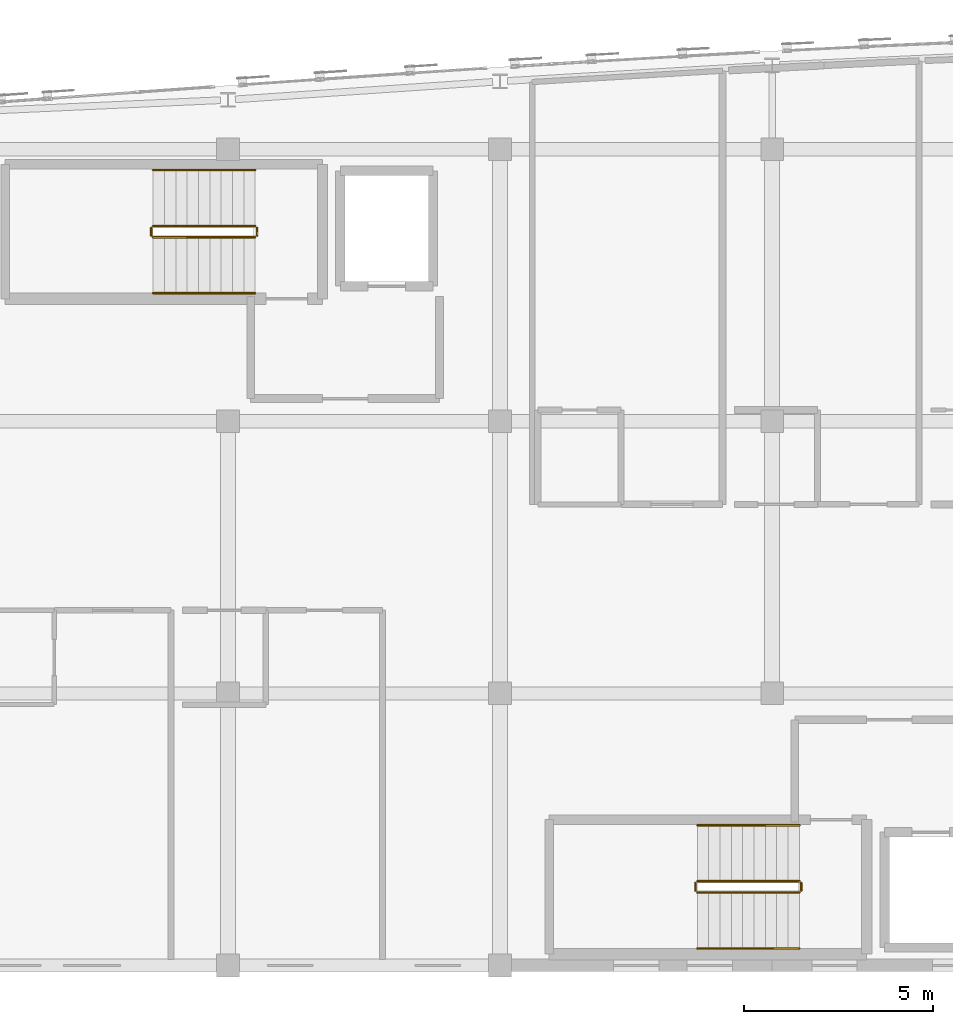
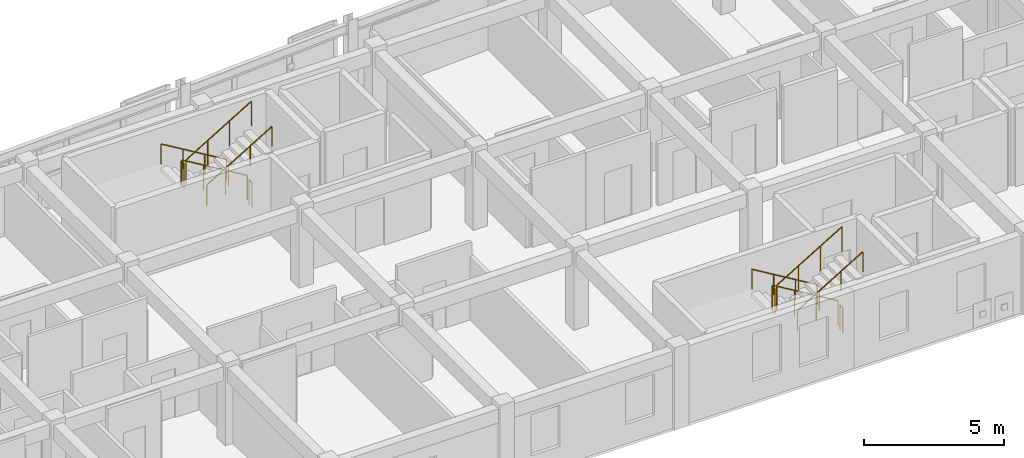
# One storey, part 40 of 41: 12 railings.
"""IFC4 building model written with IfcOpenShell, lengths in metres."""

from ifc_helpers import new_model, si_unit, direction, frame, origin, origin_2d, place, context, subcontext, project, spatial, circle, extrude, material, layer, layer_set, type_object, element, save


model = new_model("IFC4")

# Units and contexts
model_context = context("Model", 3, precision=1e-05, world=origin(), true_north=direction((0.0, 1.0)))
body_context = subcontext(model_context, "Body", "Model", "MODEL_VIEW")
ifc_project = project(units=[si_unit("LENGTHUNIT", "METRE"), si_unit("AREAUNIT", "SQUARE_METRE"), si_unit("VOLUMEUNIT", "CUBIC_METRE"), si_unit("PLANEANGLEUNIT", "RADIAN"), si_unit("MASSUNIT", "GRAM", prefix="KILO")], contexts=[model_context])

# Site, building, storey
site_placement = place(None, origin())
site = spatial("IfcSite", under=ifc_project, at=site_placement, CompositionType="ELEMENT")
building_placement = place(site_placement, origin())
building = spatial("IfcBuilding", under=site, at=building_placement, Name="Carrowvane Square Congress Hotel", CompositionType="ELEMENT")
storey_placement = place(building_placement, frame((0.0, 0.0, 37.199951171875)))
storey = spatial("IfcBuildingStorey", under=building, at=storey_placement, Name="L09", CompositionType="ELEMENT", Elevation=37.199951171875)

# Railings
ifc_material_1 = material(Name="Stainless steel 316", Category="steel")
ifc_layer_1 = layer(ifc_material_1, 0.048095703125)
ifc_layer_set_1 = layer_set([ifc_layer_1], Name="Stainless steel 316")
railing_type_1 = type_object("IfcRailingType", Name="RLG-HR-900", PredefinedType="HANDRAIL", material=ifc_layer_set_1)
railing_1_placement = place(storey_placement, frame((62.719970703125, 112.85009765625, 0.179931640625)))
element("IfcRailing", 1, at=railing_1_placement, inside=storey, type_object=railing_type_1, Name="L09 ST1 stair handrail 1", PredefinedType="HANDRAIL", context=body_context, shape_type="SweptSolid", body=[
    extrude(circle(Radius=0.02392578125, at=origin_2d()), frame((0.0, 0.0, 0.8759765625), z_axis=(-0.857472400752, 0.0, 0.514529962148), x_axis=(0.0, -1.0, 0.0)), (0.0, 0.0, 1.0), 3.148681640625),
    extrude(circle(Radius=0.02099609375, at=origin_2d()), origin(), (0.0, 0.0, 1.0), 0.851806640625),
    extrude(circle(Radius=0.02099609375, at=origin_2d()), frame((-0.89990234375, 0.0, 0.5400390625)), (0.0, 0.0, 1.0), 0.851806640625),
    extrude(circle(Radius=0.02099609375, at=origin_2d()), frame((-1.800048828125, 0.0, 1.080078125)), (0.0, 0.0, 1.0), 0.851806640625),
    extrude(circle(Radius=0.02099609375, at=origin_2d()), frame((-2.699951171875, 0.0, 1.6201171875)), (0.0, 0.0, 1.0), 0.851806640625),
])
railing_2_placement = place(storey_placement, frame((60.02001953125, 109.590087890625, 1.97998046875)))
element("IfcRailing", 2, at=railing_2_placement, inside=storey, type_object=railing_type_1, Name="L09 ST1 stair handrail 2", PredefinedType="HANDRAIL", context=body_context, shape_type="SweptSolid", body=[
    extrude(circle(Radius=0.02392578125, at=origin_2d()), frame((0.0, 0.0, 0.8759765625), z_axis=(0.857472400752, 0.0, 0.514529962148), x_axis=(0.0, 1.0, 0.0)), (0.0, 0.0, 1.0), 3.148681640625),
    extrude(circle(Radius=0.02099609375, at=origin_2d()), origin(), (0.0, 0.0, 1.0), 0.851806640625),
    extrude(circle(Radius=0.02099609375, at=origin_2d()), frame((0.89990234375, 0.0, 0.5400390625)), (0.0, 0.0, 1.0), 0.851806640625),
    extrude(circle(Radius=0.02099609375, at=origin_2d()), frame((1.800048828125, 0.0, 1.080078125)), (0.0, 0.0, 1.0), 0.851806640625),
    extrude(circle(Radius=0.02099609375, at=origin_2d()), frame((2.699951171875, 0.0, 1.6201171875)), (0.0, 0.0, 1.0), 0.851806640625),
])
railing_3_placement = place(storey_placement, frame((77.1201171875, 95.510009765625, 0.179931640625)))
element("IfcRailing", 3, at=railing_3_placement, inside=storey, type_object=railing_type_1, Name="L09 ST2 stair handrail 1", PredefinedType="HANDRAIL", context=body_context, shape_type="SweptSolid", body=[
    extrude(circle(Radius=0.02392578125, at=origin_2d()), frame((0.0, 0.0, 0.8759765625), z_axis=(-0.857492925713, 0.0, 0.514495755428), x_axis=(0.0, -1.0, 0.0)), (0.0, 0.0, 1.0), 3.14892578125),
    extrude(circle(Radius=0.02099609375, at=origin_2d()), origin(), (0.0, 0.0, 1.0), 0.851806640625),
    extrude(circle(Radius=0.02099609375, at=origin_2d()), frame((-0.900146484375, 0.0, 0.5400390625)), (0.0, 0.0, 1.0), 0.851806640625),
    extrude(circle(Radius=0.02099609375, at=origin_2d()), frame((-1.800048828125, 0.0, 1.080078125)), (0.0, 0.0, 1.0), 0.851806640625),
    extrude(circle(Radius=0.02099609375, at=origin_2d()), frame((-2.7001953125, 0.0, 1.6201171875)), (0.0, 0.0, 1.0), 0.851806640625),
])
railing_4_placement = place(storey_placement, frame((74.419921875, 92.25, 1.97998046875)))
element("IfcRailing", 4, at=railing_4_placement, inside=storey, type_object=railing_type_1, Name="L09 ST2 stair handrail 2", PredefinedType="HANDRAIL", context=body_context, shape_type="SweptSolid", body=[
    extrude(circle(Radius=0.02392578125, at=origin_2d()), frame((0.0, 0.0, 0.8759765625), z_axis=(0.857492925713, 0.0, 0.514495755428), x_axis=(0.0, 1.0, 0.0)), (0.0, 0.0, 1.0), 3.14892578125),
    extrude(circle(Radius=0.02099609375, at=origin_2d()), origin(), (0.0, 0.0, 1.0), 0.851806640625),
    extrude(circle(Radius=0.02099609375, at=origin_2d()), frame((0.900146484375, 0.0, 0.5400390625)), (0.0, 0.0, 1.0), 0.851806640625),
    extrude(circle(Radius=0.02099609375, at=origin_2d()), frame((1.800048828125, 0.0, 1.080078125)), (0.0, 0.0, 1.0), 0.851806640625),
    extrude(circle(Radius=0.02099609375, at=origin_2d()), frame((2.7001953125, 0.0, 1.6201171875)), (0.0, 0.0, 1.0), 0.851806640625),
])
ifc_material_2 = material(Name="Galvanised steel", Category="steel")
ifc_layer_2 = layer(ifc_material_2, 0.048095703125)
ifc_layer_set_2 = layer_set([ifc_layer_2], Name="Galvanised steel")
railing_type_2 = type_object("IfcRailingType", Name="RLG-STG-1100", PredefinedType="GUARDRAIL", material=ifc_layer_set_2)
railing_5_placement = place(storey_placement, frame((62.719970703125, 111.3701171875, 0.179931640625)))
element("IfcRailing", 5, at=railing_5_placement, inside=storey, type_object=railing_type_2, Name="L09 ST1 stair guard 1", PredefinedType="GUARDRAIL", context=body_context, shape_type="SweptSolid", body=[
    extrude(circle(Radius=0.02392578125, at=origin_2d()), frame((0.0, 0.0, 1.076171875), z_axis=(-0.857472400752, 0.0, 0.514529962148), x_axis=(0.0, -1.0, 0.0)), (0.0, 0.0, 1.0), 3.148681640625),
    extrude(circle(Radius=0.02099609375, at=origin_2d()), origin(), (0.0, 0.0, 1.0), 1.052001953125),
    extrude(circle(Radius=0.02099609375, at=origin_2d()), frame((-0.89990234375, 0.0, 0.5400390625)), (0.0, 0.0, 1.0), 1.052001953125),
    extrude(circle(Radius=0.02099609375, at=origin_2d()), frame((-1.800048828125, 0.0, 1.080078125)), (0.0, 0.0, 1.0), 1.052001953125),
    extrude(circle(Radius=0.02099609375, at=origin_2d()), frame((-2.699951171875, 0.0, 1.6201171875)), (0.0, 0.0, 1.0), 1.052001953125),
])
railing_6_placement = place(storey_placement, frame((59.969970703125, 111.320068359375, 1.800048828125)))
element("IfcRailing", 6, at=railing_6_placement, inside=storey, type_object=railing_type_2, Name="L09 ST1 stair guard 2", PredefinedType="GUARDRAIL", context=body_context, shape_type="SweptSolid", body=[
    extrude(circle(Radius=0.02392578125, at=origin_2d()), frame((0.0, 0.0, 1.076171875), z_axis=(0.0, -1.0, 0.0), x_axis=(1.0, 0.0, 0.0)), (0.0, 0.0, 1.0), 0.199951171875),
    extrude(circle(Radius=0.02099609375, at=origin_2d()), origin(), (0.0, 0.0, 1.0), 1.052001953125),
    extrude(circle(Radius=0.02099609375, at=origin_2d()), frame((0.0, -0.199951171875, 0.0)), (0.0, 0.0, 1.0), 1.052001953125),
])
railing_7_placement = place(storey_placement, frame((60.02001953125, 111.070068359375, 1.97998046875)))
element("IfcRailing", 7, at=railing_7_placement, inside=storey, type_object=railing_type_2, Name="L09 ST1 stair guard 3", PredefinedType="GUARDRAIL", context=body_context, shape_type="SweptSolid", body=[
    extrude(circle(Radius=0.02392578125, at=origin_2d()), frame((0.0, 0.0, 1.076171875), z_axis=(0.857472400752, 0.0, 0.514529962148), x_axis=(0.0, 1.0, 0.0)), (0.0, 0.0, 1.0), 3.148681640625),
    extrude(circle(Radius=0.02099609375, at=origin_2d()), origin(), (0.0, 0.0, 1.0), 1.052001953125),
    extrude(circle(Radius=0.02099609375, at=origin_2d()), frame((0.89990234375, 0.0, 0.5400390625)), (0.0, 0.0, 1.0), 1.052001953125),
    extrude(circle(Radius=0.02099609375, at=origin_2d()), frame((1.800048828125, 0.0, 1.080078125)), (0.0, 0.0, 1.0), 1.052001953125),
    extrude(circle(Radius=0.02099609375, at=origin_2d()), frame((2.699951171875, 0.0, 1.6201171875)), (0.0, 0.0, 1.0), 1.052001953125),
])
railing_8_placement = place(storey_placement, frame((62.77001953125, 111.320068359375, 0.0)))
element("IfcRailing", 8, at=railing_8_placement, inside=storey, type_object=railing_type_2, Name="L09 ST1 stair guard 4", PredefinedType="GUARDRAIL", context=body_context, shape_type="SweptSolid", body=[
    extrude(circle(Radius=0.02392578125, at=origin_2d()), frame((0.0, 0.0, 1.076171875), z_axis=(0.0, -1.0, 0.0), x_axis=(1.0, 0.0, 0.0)), (0.0, 0.0, 1.0), 0.199951171875),
    extrude(circle(Radius=0.02099609375, at=origin_2d()), origin(), (0.0, 0.0, 1.0), 1.052001953125),
    extrude(circle(Radius=0.02099609375, at=origin_2d()), frame((0.0, -0.199951171875, 0.0)), (0.0, 0.0, 1.0), 1.052001953125),
])
railing_9_placement = place(storey_placement, frame((77.1201171875, 94.030029296875, 0.179931640625)))
element("IfcRailing", 9, at=railing_9_placement, inside=storey, type_object=railing_type_2, Name="L09 ST2 stair guard 1", PredefinedType="GUARDRAIL", context=body_context, shape_type="SweptSolid", body=[
    extrude(circle(Radius=0.02392578125, at=origin_2d()), frame((0.0, 0.0, 1.076171875), z_axis=(-0.857492925713, 0.0, 0.514495755428), x_axis=(0.0, -1.0, 0.0)), (0.0, 0.0, 1.0), 3.14892578125),
    extrude(circle(Radius=0.02099609375, at=origin_2d()), origin(), (0.0, 0.0, 1.0), 1.052001953125),
    extrude(circle(Radius=0.02099609375, at=origin_2d()), frame((-0.900146484375, 0.0, 0.5400390625)), (0.0, 0.0, 1.0), 1.052001953125),
    extrude(circle(Radius=0.02099609375, at=origin_2d()), frame((-1.800048828125, 0.0, 1.080078125)), (0.0, 0.0, 1.0), 1.052001953125),
    extrude(circle(Radius=0.02099609375, at=origin_2d()), frame((-2.7001953125, 0.0, 1.6201171875)), (0.0, 0.0, 1.0), 1.052001953125),
])
railing_10_placement = place(storey_placement, frame((74.3701171875, 93.97998046875, 1.800048828125)))
element("IfcRailing", 10, at=railing_10_placement, inside=storey, type_object=railing_type_2, Name="L09 ST2 stair guard 2", PredefinedType="GUARDRAIL", context=body_context, shape_type="SweptSolid", body=[
    extrude(circle(Radius=0.02392578125, at=origin_2d()), frame((0.0, 0.0, 1.076171875), z_axis=(0.0, -1.0, 0.0), x_axis=(1.0, 0.0, 0.0)), (0.0, 0.0, 1.0), 0.199951171875),
    extrude(circle(Radius=0.02099609375, at=origin_2d()), origin(), (0.0, 0.0, 1.0), 1.052001953125),
    extrude(circle(Radius=0.02099609375, at=origin_2d()), frame((0.0, -0.199951171875, 0.0)), (0.0, 0.0, 1.0), 1.052001953125),
])
railing_11_placement = place(storey_placement, frame((74.419921875, 93.72998046875, 1.97998046875)))
element("IfcRailing", 11, at=railing_11_placement, inside=storey, type_object=railing_type_2, Name="L09 ST2 stair guard 3", PredefinedType="GUARDRAIL", context=body_context, shape_type="SweptSolid", body=[
    extrude(circle(Radius=0.02392578125, at=origin_2d()), frame((0.0, 0.0, 1.076171875), z_axis=(0.857492925713, 0.0, 0.514495755428), x_axis=(0.0, 1.0, 0.0)), (0.0, 0.0, 1.0), 3.14892578125),
    extrude(circle(Radius=0.02099609375, at=origin_2d()), origin(), (0.0, 0.0, 1.0), 1.052001953125),
    extrude(circle(Radius=0.02099609375, at=origin_2d()), frame((0.900146484375, 0.0, 0.5400390625)), (0.0, 0.0, 1.0), 1.052001953125),
    extrude(circle(Radius=0.02099609375, at=origin_2d()), frame((1.800048828125, 0.0, 1.080078125)), (0.0, 0.0, 1.0), 1.052001953125),
    extrude(circle(Radius=0.02099609375, at=origin_2d()), frame((2.7001953125, 0.0, 1.6201171875)), (0.0, 0.0, 1.0), 1.052001953125),
])
railing_12_placement = place(storey_placement, frame((77.169921875, 93.97998046875, 0.0)))
element("IfcRailing", 12, at=railing_12_placement, inside=storey, type_object=railing_type_2, Name="L09 ST2 stair guard 4", PredefinedType="GUARDRAIL", context=body_context, shape_type="SweptSolid", body=[
    extrude(circle(Radius=0.02392578125, at=origin_2d()), frame((0.0, 0.0, 1.076171875), z_axis=(0.0, -1.0, 0.0), x_axis=(1.0, 0.0, 0.0)), (0.0, 0.0, 1.0), 0.199951171875),
    extrude(circle(Radius=0.02099609375, at=origin_2d()), origin(), (0.0, 0.0, 1.0), 1.052001953125),
    extrude(circle(Radius=0.02099609375, at=origin_2d()), frame((0.0, -0.199951171875, 0.0)), (0.0, 0.0, 1.0), 1.052001953125),
])

save(model, "model.ifc")
